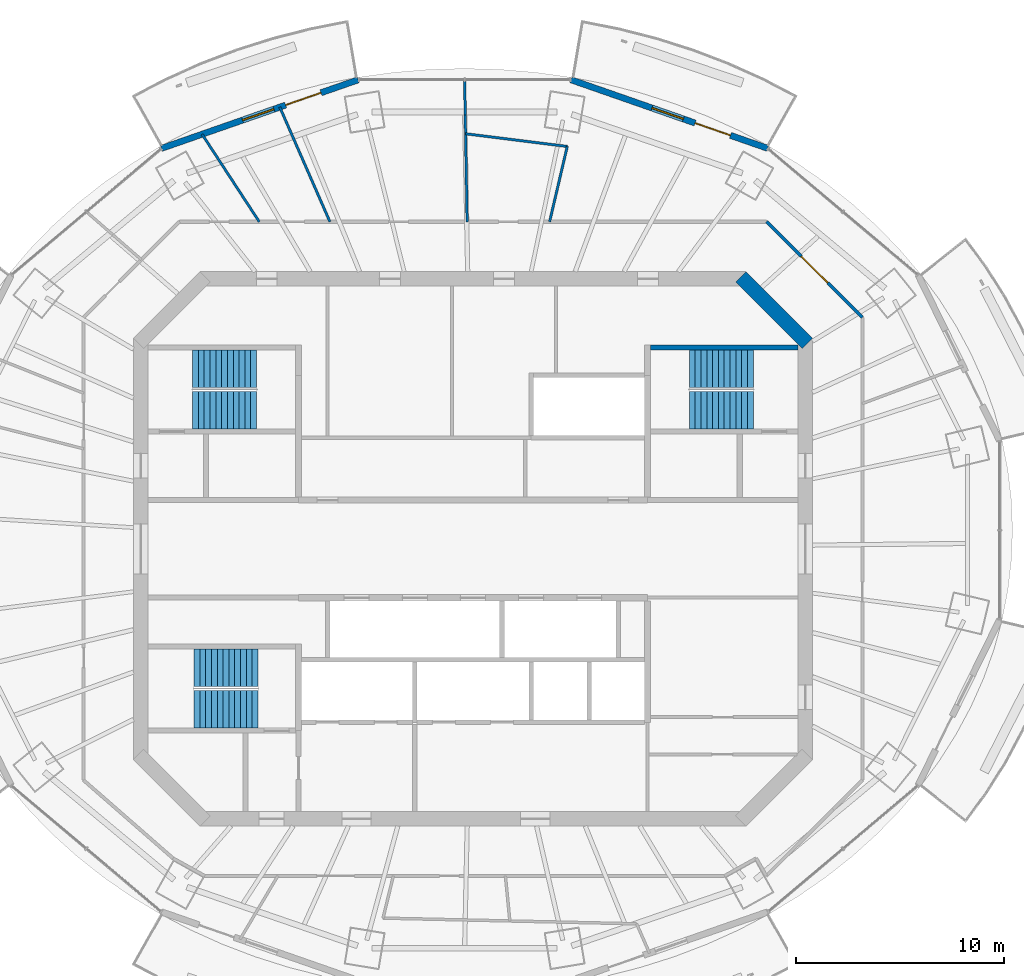
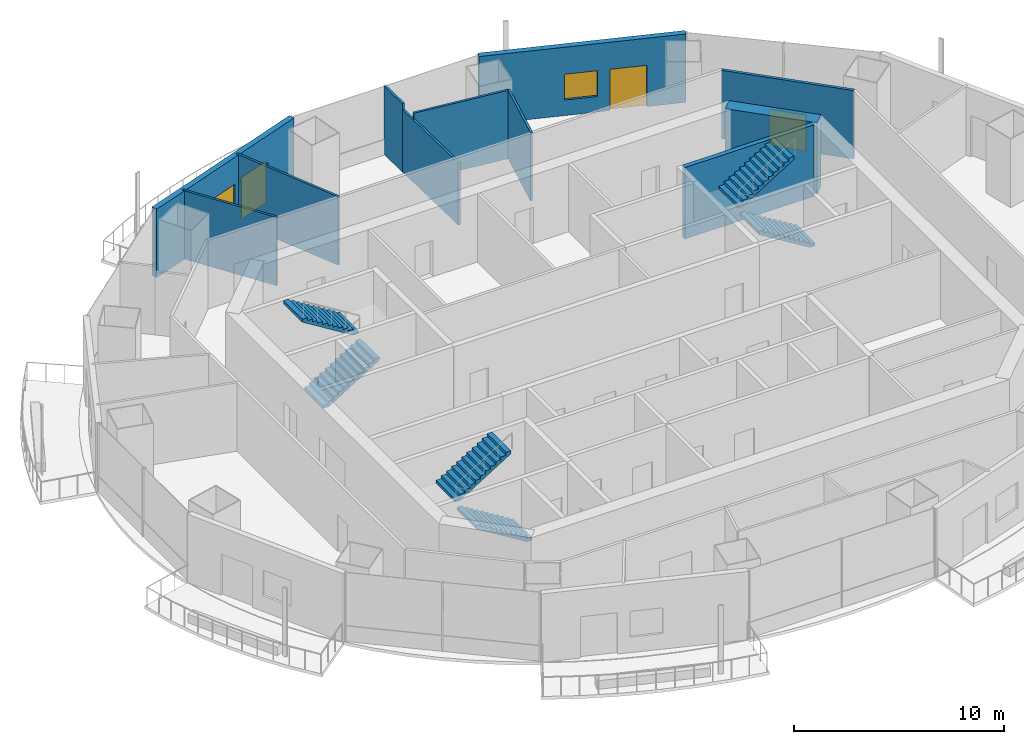
# One storey, part 11 of 16: 11 walls, 6 stair flights, 3 doors, 2 windows, 5 openings, 3 elements without a shape of their own.
"""IFC4 building model written with IfcOpenShell, lengths in metres."""

from ifc_helpers import new_model, si_unit, direction, frame, frame_2d, origin, place, context, subcontext, project, spatial, polyline, rectangle, outline, extrude, material, layer, layer_set, type_object, element, fill, aggregate, save


model = new_model("IFC4")

# Units and contexts
model_context = context("Model", 3, precision=1e-05, world=origin(), true_north=direction((0.0, 1.0)))
body_context = subcontext(model_context, "Body", "Model", "MODEL_VIEW")
ifc_project = project(units=[si_unit("LENGTHUNIT", "METRE"), si_unit("AREAUNIT", "SQUARE_METRE"), si_unit("VOLUMEUNIT", "CUBIC_METRE"), si_unit("PLANEANGLEUNIT", "RADIAN"), si_unit("MASSUNIT", "GRAM", prefix="KILO")], contexts=[model_context])

# Site, building, storey
site_placement = place(None, origin())
site = spatial("IfcSite", under=ifc_project, at=site_placement, CompositionType="ELEMENT")
building_placement = place(site_placement, origin())
building = spatial("IfcBuilding", under=site, at=building_placement, Name="Marenthal Gate Tower", CompositionType="ELEMENT")
storey_placement = place(building_placement, frame((0.0, 0.0, 359.199951171875)))
storey = spatial("IfcBuildingStorey", under=building, at=storey_placement, Name="L81", CompositionType="ELEMENT", Elevation=359.199951171875)

# Walls
ifc_material_1 = material(Name="Concrete 60 MPa", Category="concrete")
ifc_layer_1 = layer(ifc_material_1, 0.699951171875)
ifc_layer_set_1 = layer_set([ifc_layer_1], Name="Core shear wall 700")
wall_type_1 = type_object("IfcWallType", Name="Core shear wall 700", PredefinedType="SHEAR", material=ifc_layer_set_1)
wall_1_placement = place(storey_placement, frame((16.1025390625, 9.8974609375, -0.179931640625), z_axis=(0.0, 0.0, 1.0), x_axis=(-0.707106781187, 0.707106781187, 0.0)))
element("IfcWall", 1, at=wall_1_placement, inside=storey, type_object=wall_type_1, Name="Core wall 03", PredefinedType="SHEAR", context=body_context, shape_type="SweptSolid", body=[
    extrude(rectangle(XDim=4.53271484375, YDim=0.699951171875, at=frame_2d((2.266357421875, 0.0))), origin(), (0.0, 0.0, 1.0), 4.14990234375),
])
ifc_material_2 = material(Name="Gypsum board on steel studs", Category="steel")
ifc_layer_2 = layer(ifc_material_2, 0.1201171875)
ifc_layer_set_2 = layer_set([ifc_layer_2], Name="Partition 120")
wall_type_2 = type_object("IfcWallType", Name="Partition 120", PredefinedType="PARTITIONING", material=ifc_layer_set_2)
wall_2_placement = place(storey_placement, frame((-10.290283203125, 15.75, 0.0), z_axis=(0.0, 0.0, 1.0), x_axis=(-0.546976229458, 0.837148137672, 0.0)))
element("IfcWall", 2, at=wall_2_placement, inside=storey, type_object=wall_type_2, Name="Partition wall 60", PredefinedType="PARTITIONING", context=body_context, shape_type="SweptSolid", body=[
    extrude(rectangle(XDim=5.033935546875, YDim=0.1201171875, at=frame_2d((2.51708984375, 0.0))), origin(), (0.0, 0.0, 1.0), 3.969970703125),
])
wall_3_placement = place(storey_placement, frame((-6.887451171875, 15.75, 0.0), z_axis=(0.0, 0.0, 1.0), x_axis=(-0.400678502876, 0.916218716974, 0.0)))
element("IfcWall", 3, at=wall_3_placement, inside=storey, type_object=wall_type_2, Name="Partition wall 62", PredefinedType="PARTITIONING", context=body_context, shape_type="SweptSolid", body=[
    extrude(rectangle(XDim=6.023681640625, YDim=0.1201171875, at=frame_2d((3.01171875, 0.0))), origin(), (0.0, 0.0, 1.0), 3.969970703125),
])
wall_4_placement = place(storey_placement, frame((-0.27880859375, 15.75, 0.0), z_axis=(0.0, 0.0, 1.0), x_axis=(-0.017734938517, 0.99984272361, 0.0)))
element("IfcWall", 4, at=wall_4_placement, inside=storey, type_object=wall_type_2, Name="Partition wall 65", PredefinedType="PARTITIONING", context=body_context, shape_type="SweptSolid", body=[
    extrude(rectangle(XDim=5.1484375, YDim=0.1201171875, at=frame_2d((2.57421875, 0.0))), origin(), (0.0, 0.0, 1.0), 3.616943359375),
])
wall_5_placement = place(storey_placement, frame((-0.3701171875, 20.897705078125, 0.0), z_axis=(0.0, 0.0, 1.0), x_axis=(-0.017637510488, 0.999844447014, 0.0)))
element("IfcWall", 5, at=wall_5_placement, inside=storey, type_object=wall_type_2, Name="Partition wall 78", PredefinedType="PARTITIONING", context=body_context, shape_type="SweptSolid", body=[
    extrude(rectangle(XDim=1.688720703125, YDim=0.1201171875, at=frame_2d((0.84423828125, 0.0))), origin(), (0.0, 0.0, 1.0), 3.969970703125),
])
wall_6_placement = place(storey_placement, frame((4.540771484375, 19.376220703125, 0.0), z_axis=(0.0, 0.0, 1.0), x_axis=(-0.99227254585, 0.124077374056, 0.0)))
element("IfcWall", 6, at=wall_6_placement, inside=storey, type_object=wall_type_2, Name="Partition wall 67", PredefinedType="PARTITIONING", context=body_context, shape_type="SweptSolid", body=[
    extrude(rectangle(XDim=4.932861328125, YDim=0.1201171875, at=frame_2d((2.46630859375, 0.0))), origin(), (0.0, 0.0, 1.0), 3.969970703125),
])
wall_7_placement = place(storey_placement, frame((4.540771484375, 19.376220703125, 0.0), z_axis=(0.0, 0.0, 1.0), x_axis=(-0.228180642974, -0.973618813588, 0.0)))
element("IfcWall", 7, at=wall_7_placement, inside=storey, type_object=wall_type_2, Name="Partition wall 68", PredefinedType="PARTITIONING", context=body_context, shape_type="SweptSolid", body=[
    extrude(rectangle(XDim=3.724365234375, YDim=0.1201171875, at=frame_2d((1.8623046875, 0.0))), origin(), (0.0, 0.0, 1.0), 3.969970703125),
])

# Wall, opening, door
ifc_material_3 = material(Name="Gypsum board on steel studs", Category="steel")
ifc_layer_3 = layer(ifc_material_3, 0.14990234375)
ifc_layer_set_3 = layer_set([ifc_layer_3], Name="Partition 150")
wall_type_3 = type_object("IfcWallType", Name="Partition 150", PredefinedType="PARTITIONING", material=ifc_layer_set_3)
wall_8_placement = place(storey_placement, frame((14.13916015625, 15.75, 0.0), z_axis=(0.0, 0.0, 1.0), x_axis=(0.707106781187, -0.707106781187, 0.0)))
wall_8 = element("IfcWall", 8, at=wall_8_placement, inside=storey, type_object=wall_type_3, Name="Partition wall 73", PredefinedType="PARTITIONING", context=body_context, shape_type="SweptSolid", body=[
    extrude(rectangle(XDim=6.520751953125, YDim=0.14990234375, at=frame_2d((3.26025390625, 0.0))), origin(), (0.0, 0.0, 1.0), 3.969970703125),
])
opening_1_placement = place(wall_8_placement, frame((2.360107421875, 0.0, 0.0)))
opening_1 = element("IfcOpeningElement", 9, at=opening_1_placement, cuts=wall_8, Name="Opening D014.01", PredefinedType="OPENING", context=body_context, shape_type="SweptSolid", body=[
    extrude(rectangle(XDim=1.800048828125, YDim=2.10009765625, at=frame_2d((0.89990234375, 1.050048828125))), frame((0.0, 0.0849609375, 0.0), z_axis=(0.0, -1.0, 0.0), x_axis=(1.0, 0.0, 0.0)), (0.0, 0.0, 1.0), 0.169921875),
])
ifc_material_4 = material(Name="Timber door", Category="wood")
door_type_1 = type_object("IfcDoorType", Name="Double door 1800 x 2100", OperationType="DOUBLE_DOOR_SINGLE_SWING", PredefinedType="DOOR", material=ifc_material_4)
door_1_placement = place(opening_1_placement, origin())
door_1 = element("IfcDoor", 10, at=door_1_placement, inside=storey, type_object=door_type_1, Name="Door D014.01", OperationType="DOUBLE_DOOR_SINGLE_SWING", OverallHeight=2.10009765625, OverallWidth=1.800048828125, PredefinedType="DOOR", context=body_context, shape_type="SweptSolid", body=[
    extrude(rectangle(XDim=1.800048828125, YDim=2.10009765625, at=frame_2d((0.89990234375, 1.050048828125))), frame((0.0, 0.02490234375, 0.0), z_axis=(0.0, -1.0, 0.0), x_axis=(1.0, 0.0, 0.0)), (0.0, 0.0, 1.0), 0.050048828125),
])
fill(opening_1, door_1)

# Wall
ifc_material_5 = material(Name="Concrete 50 MPa", Category="concrete")
ifc_layer_4 = layer(ifc_material_5, 0.25)
ifc_layer_set_4 = layer_set([ifc_layer_4], Name="Stair shear wall 250")
wall_type_4 = type_object("IfcWallType", Name="Stair shear wall 250", PredefinedType="SHEAR", material=ifc_layer_set_4)
wall_9_placement = place(storey_placement, frame((8.550048828125, 9.699951171875, -0.179931640625), z_axis=(0.0, 0.0, 1.0), x_axis=(1.0, 0.0, 0.0)))
element("IfcWall", 11, at=wall_9_placement, inside=storey, type_object=wall_type_4, Name="Stair wall 28", PredefinedType="SHEAR", context=body_context, shape_type="SweptSolid", body=[
    extrude(rectangle(XDim=7.099853515625, YDim=0.25, at=frame_2d((3.5498046875, 0.0))), origin(), (0.0, 0.0, 1.0), 4.14990234375),
])

# Wall, openings, door, window
ifc_material_6 = material(Name="Terracotta cladding on insulated concrete-block backing", Category="masonry")
ifc_layer_5 = layer(ifc_material_6, 0.300048828125)
ifc_layer_set_5 = layer_set([ifc_layer_5], Name="Terracotta facade wall 300")
wall_type_5 = type_object("IfcWallType", Name="Terracotta facade wall 300", PredefinedType="SOLIDWALL", material=ifc_layer_set_5)
wall_10_placement = place(storey_placement, frame((14.192138671875, 19.28466796875, 0.0), z_axis=(0.0, 0.0, 1.0), x_axis=(-0.944239971919, 0.329258068133, 0.0)))
wall_10 = element("IfcWall", 12, at=wall_10_placement, inside=storey, type_object=wall_type_5, Name="Terracotta facade wall L81 bay 3", PredefinedType="SOLIDWALL", context=body_context, shape_type="SweptSolid", body=[
    extrude(rectangle(XDim=10.027099609375, YDim=0.300048828125, at=frame_2d((5.013671875, 0.0))), origin(), (0.0, 0.0, 1.0), 3.969970703125),
])
opening_2_placement = place(wall_10_placement, frame((1.89990234375, 0.0, 0.0)))
opening_2 = element("IfcOpeningElement", 13, at=opening_2_placement, cuts=wall_10, Name="Opening BD-L81-03", PredefinedType="OPENING", context=body_context, shape_type="SweptSolid", body=[
    extrude(rectangle(XDim=1.800048828125, YDim=2.39990234375, at=frame_2d((0.89990234375, 1.199951171875))), frame((0.0, 0.16015625, 0.0), z_axis=(0.0, -1.0, 0.0), x_axis=(1.0, 0.0, 0.0)), (0.0, 0.0, 1.0), 0.320068359375),
])
opening_3_placement = place(wall_10_placement, frame((4.300048828125, 0.0, 0.89990234375)))
opening_3 = element("IfcOpeningElement", 14, at=opening_3_placement, cuts=wall_10, Name="Opening WN3-L81-03", PredefinedType="OPENING", context=body_context, shape_type="SweptSolid", body=[
    extrude(rectangle(XDim=1.60009765625, YDim=1.5, at=frame_2d((0.800048828125, 0.75))), frame((0.0, 0.16015625, 0.0), z_axis=(0.0, -1.0, 0.0), x_axis=(1.0, 0.0, 0.0)), (0.0, 0.0, 1.0), 0.320068359375),
])
ifc_material_7 = material(Name="Aluminium and glass", Category="aluminium")
door_type_2 = type_object("IfcDoorType", Name="Balcony door 1800x2400", OperationType="DOUBLE_DOOR_SINGLE_SWING", PredefinedType="DOOR", material=ifc_material_7)
door_2_placement = place(opening_2_placement, origin())
door_2 = element("IfcDoor", 15, at=door_2_placement, inside=storey, type_object=door_type_2, Name="Balcony door L81 bay 3", OperationType="SINGLE_SWING_LEFT", OverallHeight=2.39990234375, OverallWidth=1.800048828125, PredefinedType="DOOR", context=body_context, shape_type="SweptSolid", body=[
    extrude(rectangle(XDim=1.800048828125, YDim=2.39990234375, at=frame_2d((0.89990234375, 1.199951171875))), frame((0.0, 0.02490234375, 0.0), z_axis=(0.0, -1.0, 0.0), x_axis=(1.0, 0.0, 0.0)), (0.0, 0.0, 1.0), 0.050048828125),
])
fill(opening_2, door_2)
ifc_material_8 = material(Name="Aluminium and glass", Category="aluminium")
window_type = type_object("IfcWindowType", Name="Window 1600x1500", PartitioningType="DOUBLE_PANEL_VERTICAL", PredefinedType="WINDOW", material=ifc_material_8)
window_1_placement = place(opening_3_placement, origin())
window_1 = element("IfcWindow", 16, at=window_1_placement, inside=storey, type_object=window_type, Name="Window L81 bay 3", OverallHeight=1.5, OverallWidth=1.60009765625, PartitioningType="SINGLE_PANEL", PredefinedType="WINDOW", context=body_context, shape_type="SweptSolid", body=[
    extrude(rectangle(XDim=1.60009765625, YDim=1.5, at=frame_2d((0.800048828125, 0.75))), frame((0.0, 0.030029296875, 0.0), z_axis=(0.0, -1.0, 0.0), x_axis=(1.0, 0.0, 0.0)), (0.0, 0.0, 1.0), 0.06005859375),
])
fill(opening_3, window_1)

wall_11_placement = place(storey_placement, frame((-5.52392578125, 22.586181640625, 0.0), z_axis=(0.0, 0.0, 1.0), x_axis=(-0.944242611416, -0.329250498535, 0.0)))
wall_11 = element("IfcWall", 17, at=wall_11_placement, inside=storey, type_object=wall_type_5, Name="Terracotta facade wall L81 bay 5", PredefinedType="SOLIDWALL", context=body_context, shape_type="SweptSolid", body=[
    extrude(rectangle(XDim=10.02734375, YDim=0.300048828125, at=frame_2d((5.013671875, 0.0))), origin(), (0.0, 0.0, 1.0), 3.969970703125),
])
opening_4_placement = place(wall_11_placement, frame((1.89990234375, 0.0, 0.0)))
opening_4 = element("IfcOpeningElement", 18, at=opening_4_placement, cuts=wall_11, Name="Opening BD-L81-05", PredefinedType="OPENING", context=body_context, shape_type="SweptSolid", body=[
    extrude(rectangle(XDim=1.800048828125, YDim=2.39990234375, at=frame_2d((0.89990234375, 1.199951171875))), frame((0.0, 0.16015625, 0.0), z_axis=(0.0, -1.0, 0.0), x_axis=(1.0, 0.0, 0.0)), (0.0, 0.0, 1.0), 0.320068359375),
])
opening_5_placement = place(wall_11_placement, frame((4.300048828125, 0.0, 0.89990234375)))
opening_5 = element("IfcOpeningElement", 19, at=opening_5_placement, cuts=wall_11, Name="Opening WN3-L81-05", PredefinedType="OPENING", context=body_context, shape_type="SweptSolid", body=[
    extrude(rectangle(XDim=1.60009765625, YDim=1.5, at=frame_2d((0.800048828125, 0.75))), frame((0.0, 0.16015625, 0.0), z_axis=(0.0, -1.0, 0.0), x_axis=(1.0, 0.0, 0.0)), (0.0, 0.0, 1.0), 0.320068359375),
])
door_3_placement = place(opening_4_placement, origin())
door_3 = element("IfcDoor", 20, at=door_3_placement, inside=storey, type_object=door_type_2, Name="Balcony door L81 bay 5", OperationType="SINGLE_SWING_LEFT", OverallHeight=2.39990234375, OverallWidth=1.800048828125, PredefinedType="DOOR", context=body_context, shape_type="SweptSolid", body=[
    extrude(rectangle(XDim=1.800048828125, YDim=2.39990234375, at=frame_2d((0.89990234375, 1.199951171875))), frame((0.0, 0.02490234375, 0.0), z_axis=(0.0, -1.0, 0.0), x_axis=(1.0, 0.0, 0.0)), (0.0, 0.0, 1.0), 0.050048828125),
])
fill(opening_4, door_3)
window_2_placement = place(opening_5_placement, origin())
window_2 = element("IfcWindow", 21, at=window_2_placement, inside=storey, type_object=window_type, Name="Window L81 bay 5", OverallHeight=1.5, OverallWidth=1.60009765625, PartitioningType="SINGLE_PANEL", PredefinedType="WINDOW", context=body_context, shape_type="SweptSolid", body=[
    extrude(rectangle(XDim=1.60009765625, YDim=1.5, at=frame_2d((0.800048828125, 0.75))), frame((0.0, 0.030029296875, 0.0), z_axis=(0.0, -1.0, 0.0), x_axis=(1.0, 0.0, 0.0)), (0.0, 0.0, 1.0), 0.06005859375),
])
fill(opening_5, window_2)

# Stair, stair flights
ifc_material_9 = material(Name="Concrete 40 MPa", Category="concrete")
stair_type = type_object("IfcStairType", Name="Exit stair 1800", PredefinedType="HALF_TURN_STAIR", material=ifc_material_9)
stair_1_placement = place(storey_placement, origin())
stair_1 = element("IfcStair", 22, at=stair_1_placement, inside=storey, type_object=stair_type, Name="Stair ST1", PredefinedType="HALF_TURN_STAIR")
ifc_material_10 = material(Name="Concrete 40 MPa", Category="concrete")
stair_flight_type = type_object("IfcStairFlightType", Name="Stair flight 1800", PredefinedType="STRAIGHT", material=ifc_material_10)
stair_flight_1_placement = place(storey_placement, frame((-13.5, 6.675048828125, 0.0), z_axis=(0.0, 0.0, 1.0), x_axis=(1.0, 0.0, 0.0)))
stair_flight_1 = element("IfcStairFlight", 23, at=stair_flight_1_placement, type_object=stair_flight_type, Name="ST1 flight 1", NumberOfRisers=12, NumberOfTreads=11, PredefinedType="STRAIGHT", RiserHeight=0.172916667, TreadLength=0.28, context=body_context, shape_type="SweptSolid", body=[
    extrude(outline(polyline([(0.0, 0.0), (0.0, 0.1728515625), (0.280029296875, 0.1728515625), (0.280029296875, 0.345947265625), (0.56005859375, 0.345947265625), (0.56005859375, 0.518798828125), (0.840087890625, 0.518798828125), (0.840087890625, 0.691650390625), (1.1201171875, 0.691650390625), (1.1201171875, 0.864501953125), (1.39990234375, 0.864501953125), (1.39990234375, 1.03759765625), (1.679931640625, 1.03759765625), (1.679931640625, 1.21044921875), (1.9599609375, 1.21044921875), (1.9599609375, 1.38330078125), (2.239990234375, 1.38330078125), (2.239990234375, 1.55615234375), (2.52001953125, 1.55615234375), (2.52001953125, 1.729248046875), (2.800048828125, 1.729248046875), (2.800048828125, 1.902099609375), (3.080078125, 1.902099609375), (3.080078125, 2.074951171875), (3.080078125, 1.725830078125), (0.285400390625, 0.0), (0.0, 0.0)])), frame((0.0, 0.89990234375, 0.0), z_axis=(0.0, -1.0, 0.0), x_axis=(1.0, 0.0, 0.0)), (0.0, 0.0, 1.0), 1.800048828125),
])
stair_flight_2_placement = place(storey_placement, frame((-10.419921875, 8.675048828125, 2.074951171875), z_axis=(0.0, 0.0, 1.0), x_axis=(-1.0, 0.0, 0.0)))
stair_flight_2 = element("IfcStairFlight", 24, at=stair_flight_2_placement, type_object=stair_flight_type, Name="ST1 flight 2", NumberOfRisers=12, NumberOfTreads=11, PredefinedType="STRAIGHT", RiserHeight=0.172916667, TreadLength=0.28, context=body_context, shape_type="SweptSolid", body=[
    extrude(outline(polyline([(0.0, 0.0), (0.0, 0.1728515625), (0.280029296875, 0.1728515625), (0.280029296875, 0.345947265625), (0.56005859375, 0.345947265625), (0.56005859375, 0.518798828125), (0.840087890625, 0.518798828125), (0.840087890625, 0.691650390625), (1.1201171875, 0.691650390625), (1.1201171875, 0.864501953125), (1.39990234375, 0.864501953125), (1.39990234375, 1.03759765625), (1.679931640625, 1.03759765625), (1.679931640625, 1.21044921875), (1.9599609375, 1.21044921875), (1.9599609375, 1.38330078125), (2.239990234375, 1.38330078125), (2.239990234375, 1.55615234375), (2.52001953125, 1.55615234375), (2.52001953125, 1.729248046875), (2.800048828125, 1.729248046875), (2.800048828125, 1.902099609375), (3.080078125, 1.902099609375), (3.080078125, 2.074951171875), (3.080078125, 1.725830078125), (0.285400390625, 0.0), (0.0, 0.0)])), frame((0.0, 0.89990234375, 0.0), z_axis=(0.0, -1.0, 0.0), x_axis=(1.0, 0.0, 0.0)), (0.0, 0.0, 1.0), 1.800048828125),
])
aggregate(stair_1, [stair_flight_1, stair_flight_2])

stair_2_placement = place(storey_placement, origin())
stair_2 = element("IfcStair", 25, at=stair_2_placement, inside=storey, type_object=stair_type, Name="Stair ST2", PredefinedType="HALF_TURN_STAIR")
stair_flight_3_placement = place(storey_placement, frame((-10.35009765625, -7.72509765625, 0.0), z_axis=(0.0, 0.0, 1.0), x_axis=(-1.0, 0.0, 0.0)))
stair_flight_3 = element("IfcStairFlight", 26, at=stair_flight_3_placement, type_object=stair_flight_type, Name="ST2 flight 1", NumberOfRisers=12, NumberOfTreads=11, PredefinedType="STRAIGHT", RiserHeight=0.172916667, TreadLength=0.28, context=body_context, shape_type="SweptSolid", body=[
    extrude(outline(polyline([(0.0, 0.0), (0.0, 0.1728515625), (0.280029296875, 0.1728515625), (0.280029296875, 0.345947265625), (0.56005859375, 0.345947265625), (0.56005859375, 0.518798828125), (0.840087890625, 0.518798828125), (0.840087890625, 0.691650390625), (1.1201171875, 0.691650390625), (1.1201171875, 0.864501953125), (1.39990234375, 0.864501953125), (1.39990234375, 1.03759765625), (1.679931640625, 1.03759765625), (1.679931640625, 1.21044921875), (1.9599609375, 1.21044921875), (1.9599609375, 1.38330078125), (2.239990234375, 1.38330078125), (2.239990234375, 1.55615234375), (2.52001953125, 1.55615234375), (2.52001953125, 1.729248046875), (2.800048828125, 1.729248046875), (2.800048828125, 1.902099609375), (3.080078125, 1.902099609375), (3.080078125, 2.074951171875), (3.080078125, 1.725830078125), (0.285400390625, 0.0), (0.0, 0.0)])), frame((0.0, 0.89990234375, 0.0), z_axis=(0.0, -1.0, 0.0), x_axis=(1.0, 0.0, 0.0)), (0.0, 0.0, 1.0), 1.800048828125),
])
stair_flight_4_placement = place(storey_placement, frame((-13.429931640625, -5.72509765625, 2.074951171875), z_axis=(0.0, 0.0, 1.0), x_axis=(1.0, 0.0, 0.0)))
stair_flight_4 = element("IfcStairFlight", 27, at=stair_flight_4_placement, type_object=stair_flight_type, Name="ST2 flight 2", NumberOfRisers=12, NumberOfTreads=11, PredefinedType="STRAIGHT", RiserHeight=0.172916667, TreadLength=0.28, context=body_context, shape_type="SweptSolid", body=[
    extrude(outline(polyline([(0.0, 0.0), (0.0, 0.1728515625), (0.280029296875, 0.1728515625), (0.280029296875, 0.345947265625), (0.56005859375, 0.345947265625), (0.56005859375, 0.518798828125), (0.840087890625, 0.518798828125), (0.840087890625, 0.691650390625), (1.1201171875, 0.691650390625), (1.1201171875, 0.864501953125), (1.39990234375, 0.864501953125), (1.39990234375, 1.03759765625), (1.679931640625, 1.03759765625), (1.679931640625, 1.21044921875), (1.9599609375, 1.21044921875), (1.9599609375, 1.38330078125), (2.239990234375, 1.38330078125), (2.239990234375, 1.55615234375), (2.52001953125, 1.55615234375), (2.52001953125, 1.729248046875), (2.800048828125, 1.729248046875), (2.800048828125, 1.902099609375), (3.080078125, 1.902099609375), (3.080078125, 2.074951171875), (3.080078125, 1.725830078125), (0.285400390625, 0.0), (0.0, 0.0)])), frame((0.0, 0.89990234375, 0.0), z_axis=(0.0, -1.0, 0.0), x_axis=(1.0, 0.0, 0.0)), (0.0, 0.0, 1.0), 1.800048828125),
])
aggregate(stair_2, [stair_flight_3, stair_flight_4])

stair_3_placement = place(storey_placement, origin())
stair_3 = element("IfcStair", 28, at=stair_3_placement, inside=storey, type_object=stair_type, Name="Stair ST3", PredefinedType="HALF_TURN_STAIR")
stair_flight_5_placement = place(storey_placement, frame((13.5, 6.675048828125, 0.0), z_axis=(0.0, 0.0, 1.0), x_axis=(-1.0, 0.0, 0.0)))
stair_flight_5 = element("IfcStairFlight", 29, at=stair_flight_5_placement, type_object=stair_flight_type, Name="ST3 flight 1", NumberOfRisers=12, NumberOfTreads=11, PredefinedType="STRAIGHT", RiserHeight=0.172916667, TreadLength=0.28, context=body_context, shape_type="SweptSolid", body=[
    extrude(outline(polyline([(0.0, 0.0), (0.0, 0.1728515625), (0.280029296875, 0.1728515625), (0.280029296875, 0.345947265625), (0.56005859375, 0.345947265625), (0.56005859375, 0.518798828125), (0.840087890625, 0.518798828125), (0.840087890625, 0.691650390625), (1.1201171875, 0.691650390625), (1.1201171875, 0.864501953125), (1.39990234375, 0.864501953125), (1.39990234375, 1.03759765625), (1.679931640625, 1.03759765625), (1.679931640625, 1.21044921875), (1.9599609375, 1.21044921875), (1.9599609375, 1.38330078125), (2.239990234375, 1.38330078125), (2.239990234375, 1.55615234375), (2.52001953125, 1.55615234375), (2.52001953125, 1.729248046875), (2.800048828125, 1.729248046875), (2.800048828125, 1.902099609375), (3.080078125, 1.902099609375), (3.080078125, 2.074951171875), (3.080078125, 1.725830078125), (0.285400390625, 0.0), (0.0, 0.0)])), frame((0.0, 0.89990234375, 0.0), z_axis=(0.0, -1.0, 0.0), x_axis=(1.0, 0.0, 0.0)), (0.0, 0.0, 1.0), 1.800048828125),
])
stair_flight_6_placement = place(storey_placement, frame((10.419921875, 8.675048828125, 2.074951171875), z_axis=(0.0, 0.0, 1.0), x_axis=(1.0, 0.0, 0.0)))
stair_flight_6 = element("IfcStairFlight", 30, at=stair_flight_6_placement, type_object=stair_flight_type, Name="ST3 flight 2", NumberOfRisers=12, NumberOfTreads=11, PredefinedType="STRAIGHT", RiserHeight=0.172916667, TreadLength=0.28, context=body_context, shape_type="SweptSolid", body=[
    extrude(outline(polyline([(0.0, 0.0), (0.0, 0.1728515625), (0.280029296875, 0.1728515625), (0.280029296875, 0.345947265625), (0.56005859375, 0.345947265625), (0.56005859375, 0.518798828125), (0.840087890625, 0.518798828125), (0.840087890625, 0.691650390625), (1.1201171875, 0.691650390625), (1.1201171875, 0.864501953125), (1.39990234375, 0.864501953125), (1.39990234375, 1.03759765625), (1.679931640625, 1.03759765625), (1.679931640625, 1.21044921875), (1.9599609375, 1.21044921875), (1.9599609375, 1.38330078125), (2.239990234375, 1.38330078125), (2.239990234375, 1.55615234375), (2.52001953125, 1.55615234375), (2.52001953125, 1.729248046875), (2.800048828125, 1.729248046875), (2.800048828125, 1.902099609375), (3.080078125, 1.902099609375), (3.080078125, 2.074951171875), (3.080078125, 1.725830078125), (0.285400390625, 0.0), (0.0, 0.0)])), frame((0.0, 0.89990234375, 0.0), z_axis=(0.0, -1.0, 0.0), x_axis=(1.0, 0.0, 0.0)), (0.0, 0.0, 1.0), 1.800048828125),
])
aggregate(stair_3, [stair_flight_5, stair_flight_6])

save(model, "model.ifc")
